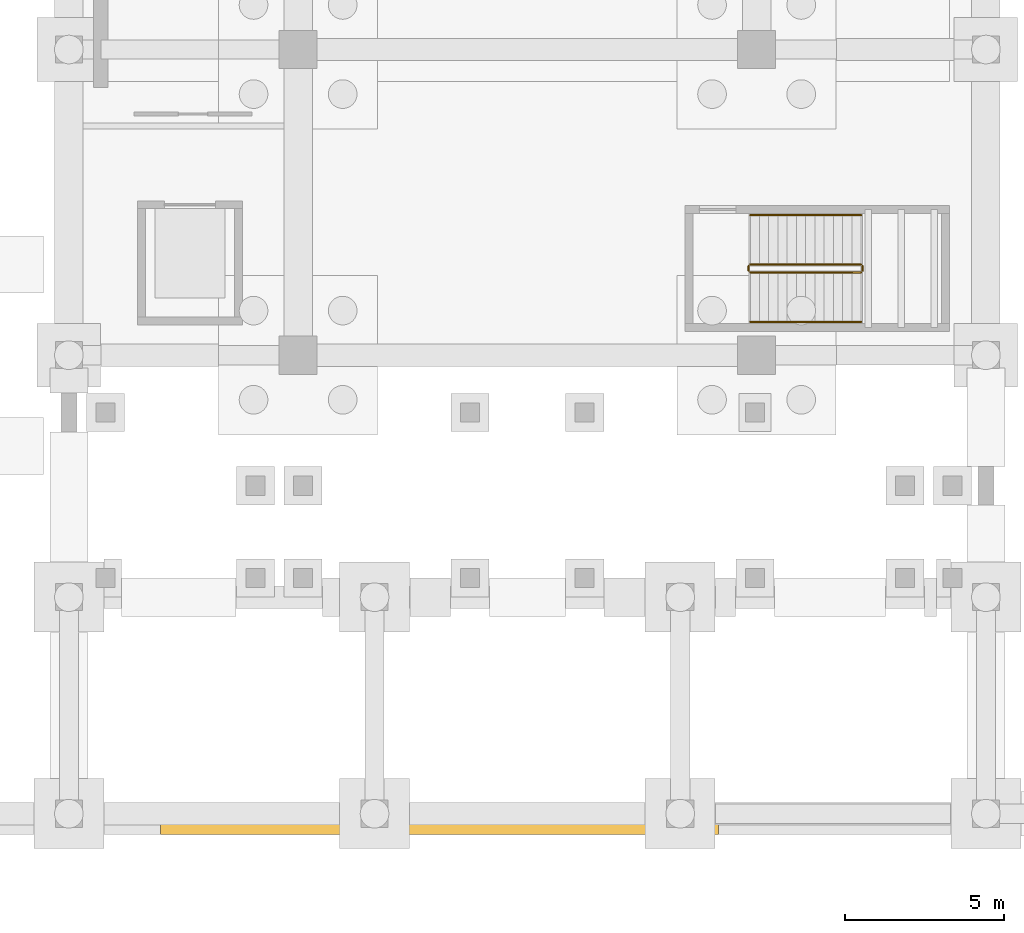
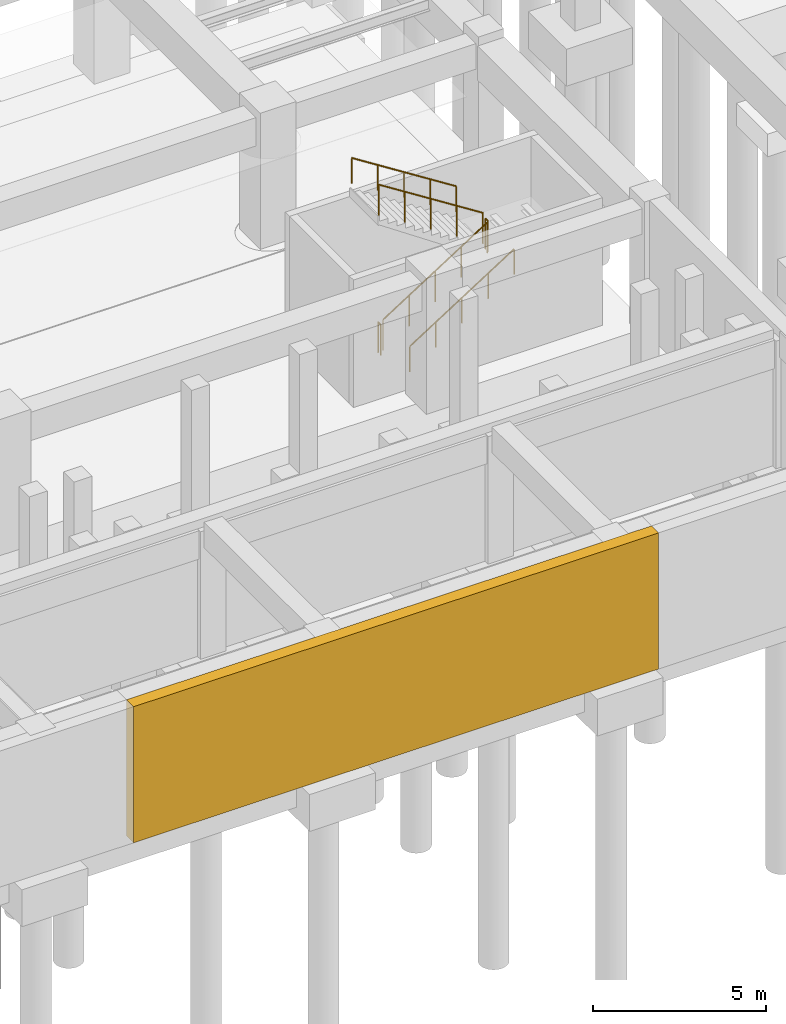
# One storey, part 47 of 56: 6 railings, 1 covering.
"""IFC4 building model written with IfcOpenShell, lengths in metres."""

from ifc_helpers import new_model, si_unit, direction, frame, origin, origin_2d, place, context, subcontext, project, spatial, polyline, circle, outline, extrude, material, layer, layer_set, type_object, element, save


model = new_model("IFC4")

# Units and contexts
model_context = context("Model", 3, precision=1e-05, world=origin(), true_north=direction((0.0, 1.0)))
body_context = subcontext(model_context, "Body", "Model", "MODEL_VIEW")
ifc_project = project(units=[si_unit("LENGTHUNIT", "METRE"), si_unit("AREAUNIT", "SQUARE_METRE"), si_unit("VOLUMEUNIT", "CUBIC_METRE"), si_unit("PLANEANGLEUNIT", "RADIAN"), si_unit("MASSUNIT", "GRAM", prefix="KILO")], contexts=[model_context])

# Site, building, storey
site_placement = place(None, origin())
site = spatial("IfcSite", under=ifc_project, at=site_placement, CompositionType="ELEMENT")
building_placement = place(site_placement, origin())
building = spatial("IfcBuilding", under=site, at=building_placement, Name="Mavantir Sound Aquarium", CompositionType="ELEMENT")
storey_placement = place(building_placement, frame((0.0, 0.0, -9.60009765625)))
storey = spatial("IfcBuildingStorey", under=building, at=storey_placement, Name="B2", CompositionType="ELEMENT", Elevation=-9.60009765625)

# Covering
ifc_material_1 = material(Name="Honed Coral-Limestone & Glazed Terracotta Rainscreen Cladding", Category="masonry")
ifc_layer = layer(ifc_material_1, 0.06005859375, Name="Honed Coral-Limestone & Glazed Terracotta Rainscreen Cladding")
ifc_layer_set = layer_set([ifc_layer], Name="Honed Coral-Limestone & Glazed Terracotta Rainscreen Cladding")
covering_type = type_object("IfcCoveringType", Name="COV-CLAD-TC", PredefinedType="CLADDING", material=ifc_layer_set)
covering_placement = place(storey_placement, origin())
element("IfcCovering", 1, at=covering_placement, inside=storey, type_object=covering_type, Name="B2 rusticated coral-stone plinth cladding 47", PredefinedType="CLADDING", context=body_context, shape_type="SweptSolid", body=[
    extrude(outline(polyline([(70.080078125, -0.25), (87.60009765625, -0.25), (87.60009765625, -0.659912109375), (70.080078125, -0.659912109375), (70.080078125, -0.25)])), origin(), (0.0, 0.0, 1.0), 4.800048828125),
])

# Railings
ifc_material_2 = material(Name="Stainless Steel 316 and Laminated Glass Guardrail", Category="steel")
railing_type_1 = type_object("IfcRailingType", Name="RL-GUARD-110", PredefinedType="GUARDRAIL", material=ifc_material_2)
railing_1_placement = place(storey_placement, frame((88.60009765625, 17.0, 0.184814453125)))
element("IfcRailing", 2, at=railing_1_placement, inside=storey, type_object=railing_type_1, Name="B2 ST11 stair guard 1", PredefinedType="GUARDRAIL", context=body_context, shape_type="SweptSolid", body=[
    extrude(circle(Radius=0.02392578125, at=origin_2d()), frame((0.0, 0.0, 1.076171875), z_axis=(0.843573748531, 0.0, 0.537013343214), x_axis=(0.0, 1.0, 0.0)), (0.0, 0.0, 1.0), 4.125244140625),
    extrude(circle(Radius=0.02099609375, at=origin_2d()), origin(), (0.0, 0.0, 1.0), 1.052001953125),
    extrude(circle(Radius=0.02099609375, at=origin_2d()), frame((0.8701171875, 0.0, 0.5537109375)), (0.0, 0.0, 1.0), 1.052001953125),
    extrude(circle(Radius=0.02099609375, at=origin_2d()), frame((1.739990234375, 0.0, 1.107666015625)), (0.0, 0.0, 1.0), 1.052001953125),
    extrude(circle(Radius=0.02099609375, at=origin_2d()), frame((2.60986328125, 0.0, 1.66162109375)), (0.0, 0.0, 1.0), 1.052001953125),
    extrude(circle(Radius=0.02099609375, at=origin_2d()), frame((3.47998046875, 0.0, 2.21533203125)), (0.0, 0.0, 1.0), 1.052001953125),
])
railing_2_placement = place(storey_placement, frame((92.1298828125, 17.050048828125, 2.400146484375)))
element("IfcRailing", 3, at=railing_2_placement, inside=storey, type_object=railing_type_1, Name="B2 ST11 stair guard 2", PredefinedType="GUARDRAIL", context=body_context, shape_type="SweptSolid", body=[
    extrude(circle(Radius=0.02392578125, at=origin_2d()), frame((0.0, 0.0, 1.076171875), z_axis=(0.0, 1.0, 0.0), x_axis=(-1.0, 0.0, 0.0)), (0.0, 0.0, 1.0), 0.14990234375),
    extrude(circle(Radius=0.02099609375, at=origin_2d()), origin(), (0.0, 0.0, 1.0), 1.052001953125),
    extrude(circle(Radius=0.02099609375, at=origin_2d()), frame((0.0, 0.14990234375, 0.0)), (0.0, 0.0, 1.0), 1.052001953125),
])
railing_3_placement = place(storey_placement, frame((92.080078125, 17.25, 2.584716796875)))
element("IfcRailing", 4, at=railing_3_placement, inside=storey, type_object=railing_type_1, Name="B2 ST11 stair guard 3", PredefinedType="GUARDRAIL", context=body_context, shape_type="SweptSolid", body=[
    extrude(circle(Radius=0.02392578125, at=origin_2d()), frame((0.0, 0.0, 1.076171875), z_axis=(-0.843573748531, 0.0, 0.537013343214), x_axis=(0.0, -1.0, 0.0)), (0.0, 0.0, 1.0), 4.125244140625),
    extrude(circle(Radius=0.02099609375, at=origin_2d()), origin(), (0.0, 0.0, 1.0), 1.052001953125),
    extrude(circle(Radius=0.02099609375, at=origin_2d()), frame((-0.8701171875, 0.0, 0.5537109375)), (0.0, 0.0, 1.0), 1.052001953125),
    extrude(circle(Radius=0.02099609375, at=origin_2d()), frame((-1.739990234375, 0.0, 1.107666015625)), (0.0, 0.0, 1.0), 1.052001953125),
    extrude(circle(Radius=0.02099609375, at=origin_2d()), frame((-2.60986328125, 0.0, 1.66162109375)), (0.0, 0.0, 1.0), 1.052001953125),
    extrude(circle(Radius=0.02099609375, at=origin_2d()), frame((-3.47998046875, 0.0, 2.21533203125)), (0.0, 0.0, 1.0), 1.052001953125),
])
railing_4_placement = place(storey_placement, frame((88.550048828125, 17.050048828125, 0.0)))
element("IfcRailing", 5, at=railing_4_placement, inside=storey, type_object=railing_type_1, Name="B2 ST11 stair guard 4", PredefinedType="GUARDRAIL", context=body_context, shape_type="SweptSolid", body=[
    extrude(circle(Radius=0.02392578125, at=origin_2d()), frame((0.0, 0.0, 1.076171875), z_axis=(0.0, 1.0, 0.0), x_axis=(-1.0, 0.0, 0.0)), (0.0, 0.0, 1.0), 0.14990234375),
    extrude(circle(Radius=0.02099609375, at=origin_2d()), origin(), (0.0, 0.0, 1.0), 1.052001953125),
    extrude(circle(Radius=0.02099609375, at=origin_2d()), frame((0.0, 0.14990234375, 0.0)), (0.0, 0.0, 1.0), 1.052001953125),
])
ifc_material_3 = material(Name="Brushed Stainless Steel 316 Handrail", Category="steel")
railing_type_2 = type_object("IfcRailingType", Name="RL-HR-90", PredefinedType="HANDRAIL", material=ifc_material_3)
railing_5_placement = place(storey_placement, frame((88.60009765625, 15.449951171875, 0.36962890625)))
element("IfcRailing", 6, at=railing_5_placement, inside=storey, type_object=railing_type_2, Name="B2 ST11 stair handrail 1", PredefinedType="HANDRAIL", context=body_context, shape_type="SweptSolid", body=[
    extrude(circle(Radius=0.02392578125, at=origin_2d()), frame((0.0, 0.0, 0.89111328125), z_axis=(0.843546938479, 0.0, 0.53705545578), x_axis=(0.0, 1.0, 0.0)), (0.0, 0.0, 1.0), 4.12548828125),
    extrude(circle(Radius=0.02099609375, at=origin_2d()), origin(), (0.0, 0.0, 1.0), 0.866943359375),
    extrude(circle(Radius=0.02099609375, at=origin_2d()), frame((0.8701171875, 0.0, 0.553955078125)), (0.0, 0.0, 1.0), 0.866943359375),
    extrude(circle(Radius=0.02099609375, at=origin_2d()), frame((1.739990234375, 0.0, 1.10791015625)), (0.0, 0.0, 1.0), 0.866943359375),
    extrude(circle(Radius=0.02099609375, at=origin_2d()), frame((2.60986328125, 0.0, 1.66162109375)), (0.0, 0.0, 1.0), 0.866943359375),
    extrude(circle(Radius=0.02099609375, at=origin_2d()), frame((3.47998046875, 0.0, 2.215576171875)), (0.0, 0.0, 1.0), 0.866943359375),
])
railing_6_placement = place(storey_placement, frame((92.080078125, 18.800048828125, 2.769775390625)))
element("IfcRailing", 7, at=railing_6_placement, inside=storey, type_object=railing_type_2, Name="B2 ST11 stair handrail 2", PredefinedType="HANDRAIL", context=body_context, shape_type="SweptSolid", body=[
    extrude(circle(Radius=0.02392578125, at=origin_2d()), frame((0.0, 0.0, 0.89111328125), z_axis=(-0.843573748531, 0.0, 0.537013343214), x_axis=(0.0, -1.0, 0.0)), (0.0, 0.0, 1.0), 4.125244140625),
    extrude(circle(Radius=0.02099609375, at=origin_2d()), origin(), (0.0, 0.0, 1.0), 0.866943359375),
    extrude(circle(Radius=0.02099609375, at=origin_2d()), frame((-0.8701171875, 0.0, 0.5537109375)), (0.0, 0.0, 1.0), 0.866943359375),
    extrude(circle(Radius=0.02099609375, at=origin_2d()), frame((-1.739990234375, 0.0, 1.107666015625)), (0.0, 0.0, 1.0), 0.866943359375),
    extrude(circle(Radius=0.02099609375, at=origin_2d()), frame((-2.60986328125, 0.0, 1.66162109375)), (0.0, 0.0, 1.0), 0.866943359375),
    extrude(circle(Radius=0.02099609375, at=origin_2d()), frame((-3.47998046875, 0.0, 2.21533203125)), (0.0, 0.0, 1.0), 0.866943359375),
])

save(model, "model.ifc")
